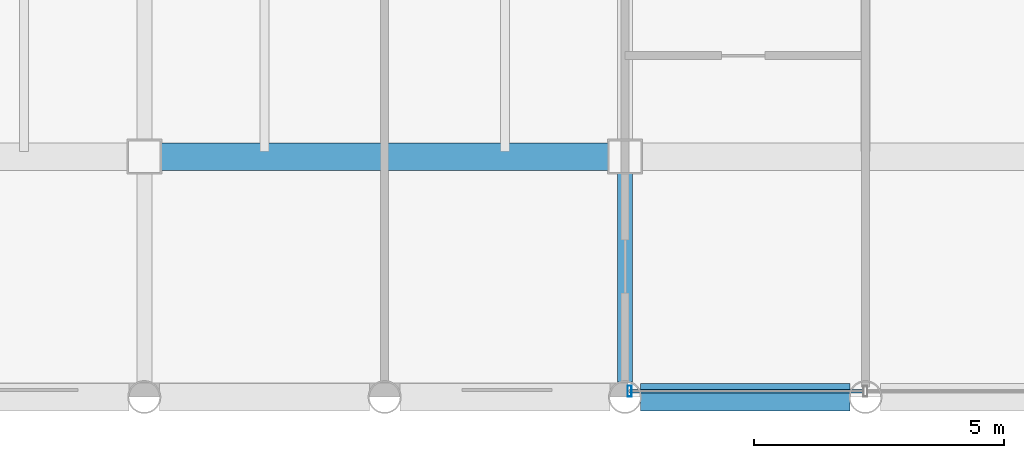
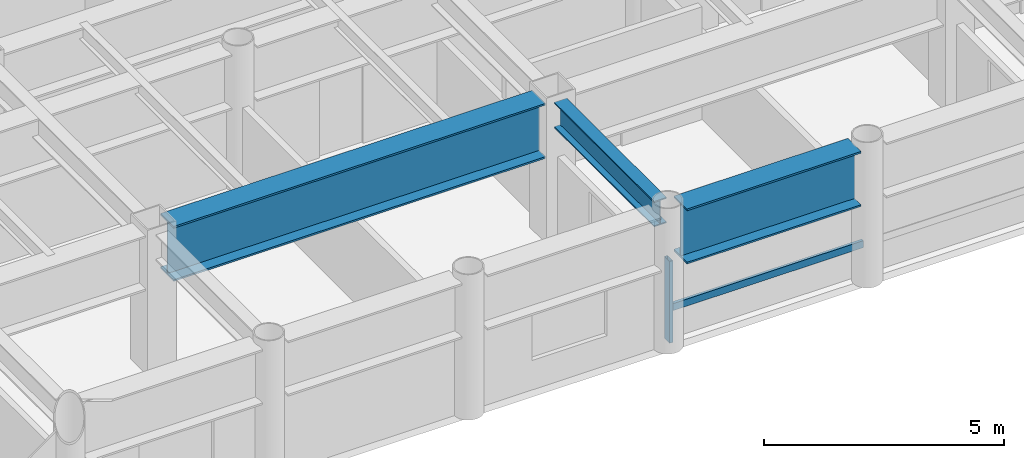
# One storey, part 3 of 23: 3 beams, 2 members, 1 element without a shape of its own.
"""IFC4 building model written with IfcOpenShell, lengths in metres."""

from ifc_helpers import new_model, si_unit, direction, frame, origin, origin_2d, place, context, subcontext, project, spatial, hollow_rectangle, i_section, extrude, material, layer, layer_set, material_profile, profile_set, type_object, element, aggregate, save


model = new_model("IFC4")

# Units and contexts
model_context = context("Model", 3, precision=1e-05, world=origin(), true_north=direction((0.0, 1.0)))
body_context = subcontext(model_context, "Body", "Model", "MODEL_VIEW")
ifc_project = project(units=[si_unit("LENGTHUNIT", "METRE"), si_unit("AREAUNIT", "SQUARE_METRE"), si_unit("VOLUMEUNIT", "CUBIC_METRE"), si_unit("PLANEANGLEUNIT", "RADIAN"), si_unit("MASSUNIT", "GRAM", prefix="KILO")], contexts=[model_context])

# Site, building, storey
site_placement = place(None, origin())
site = spatial("IfcSite", under=ifc_project, at=site_placement, CompositionType="ELEMENT")
building_placement = place(site_placement, origin())
building = spatial("IfcBuilding", under=site, at=building_placement, Name="Kallvorn Hotel Tower", CompositionType="ELEMENT")
storey_placement = place(building_placement, frame((0.0, 0.0, 121.10009765625)))
storey = spatial("IfcBuildingStorey", under=building, at=storey_placement, Name="L29", CompositionType="ELEMENT", Elevation=121.10009765625)

# Beams
ifc_material_1 = material(Name="Structural steel S355JR", Category="steel")
ifc_material_profile_1 = material_profile(ifc_material_1, i_section(OverallWidth=0.300048828125, OverallDepth=0.64990234375, WebThickness=0.01611328125, FlangeThickness=0.031005859375, at=origin_2d()), Name="HE 650 B")
ifc_profile_set_1 = profile_set([ifc_material_profile_1], Name="Structural steel S355JR")
beam_type_1 = type_object("IfcBeamType", Name="BM_HE650B", PredefinedType="BEAM", material=ifc_profile_set_1)
beam_1_placement = place(storey_placement, frame((-4.800048828125, -18.89501953125, 3.19482421875), z_axis=(0.0, 1.0, 0.0), x_axis=(-1.0, 0.0, 0.0)))
element("IfcBeam", 1, at=beam_1_placement, inside=storey, type_object=beam_type_1, Name="L30 Primary Y-Girder 114", PredefinedType="BEAM", context=body_context, shape_type="SweptSolid", body=[
    extrude(i_section(OverallWidth=0.300048828125, OverallDepth=0.64990234375, WebThickness=0.01611328125, FlangeThickness=0.031005859375, at=origin_2d()), origin(), (0.0, 0.0, 1.0), 4.169921875),
])
ifc_material_2 = material(Name="Structural steel S355JR", Category="steel")
ifc_material_profile_2 = material_profile(ifc_material_2, i_section(OverallWidth=0.550048828125, OverallDepth=1.39990234375, WebThickness=0.02490234375, FlangeThickness=0.044921875, at=origin_2d()), Name="PG 1400x550x25x45")
ifc_profile_set_2 = profile_set([ifc_material_profile_2], Name="Structural steel S355JR")
beam_type_2 = type_object("IfcBeamType", Name="BM_PG_1400", PredefinedType="BEAM", material=ifc_profile_set_2)
beam_2_placement = place(storey_placement, frame((-4.4951171875, -19.199951171875, 2.81982421875), z_axis=(1.0, 0.0, 0.0), x_axis=(0.0, 1.0, 0.0)))
element("IfcBeam", 2, at=beam_2_placement, inside=storey, type_object=beam_type_2, Name="L30 Primary X-Girder 15", PredefinedType="BEAM", context=body_context, shape_type="SweptSolid", body=[
    extrude(i_section(OverallWidth=0.550048828125, OverallDepth=1.39990234375, WebThickness=0.02490234375, FlangeThickness=0.044921875, at=origin_2d()), origin(), (0.0, 0.0, 1.0), 4.190185546875),
])
beam_3_placement = place(storey_placement, frame((-14.074951171875, -14.39990234375, 2.81982421875), z_axis=(1.0, 0.0, 0.0), x_axis=(0.0, 1.0, 0.0)))
element("IfcBeam", 3, at=beam_3_placement, inside=storey, type_object=beam_type_2, Name="L30 Primary X-Girder 25", PredefinedType="BEAM", context=body_context, shape_type="SweptSolid", body=[
    extrude(i_section(OverallWidth=0.550048828125, OverallDepth=1.39990234375, WebThickness=0.02490234375, FlangeThickness=0.044921875, at=origin_2d()), origin(), (0.0, 0.0, 1.0), 8.949951171875),
])

# Curtain wall, members
ifc_material_3 = material(Name="Thermally broken black-anodised aluminium AA 6063-T6", Category="aluminium")
ifc_layer = layer(ifc_material_3, 0.199951171875)
ifc_layer_set = layer_set([ifc_layer], Name="CW_SYS_3_HOTEL_LOW")
curtain_wall_type = type_object("IfcCurtainWallType", Name="CW_SYS_3_HOTEL_LOW", PredefinedType="USERDEFINED", material=ifc_layer_set)
curtain_wall_placement = place(storey_placement, origin())
curtain_wall = element("IfcCurtainWall", 4, at=curtain_wall_placement, inside=storey, type_object=curtain_wall_type, Name="L29 Dark-Glass Curtain Wall CW-L29-SC", ObjectType="UNITISED CURTAIN WALL", PredefinedType="USERDEFINED")
ifc_material_4 = material(Name="Thermally broken black-anodised aluminium AA 6063-T6", Category="aluminium")
ifc_material_profile_3 = material_profile(ifc_material_4, hollow_rectangle(XDim=0.080078125, YDim=0.219970703125, WallThickness=0.0048828125, at=origin_2d()), Name="MUL 220x80")
ifc_profile_set_3 = profile_set([ifc_material_profile_3], Name="Thermally broken black-anodised aluminium AA 6063-T6")
member_type_1 = type_object("IfcMemberType", Name="CW_MULLION_220x80", PredefinedType="MULLION", material=ifc_profile_set_3)
member_1_placement = place(storey_placement, frame((-4.7099609375, -19.080078125, 0.02001953125), z_axis=(0.0, 0.0, 1.0), x_axis=(1.0, 0.0, 0.0)))
member_1 = element("IfcMember", 5, at=member_1_placement, type_object=member_type_1, Name="CW-L29-SC Mullion 00", PredefinedType="MULLION", context=body_context, shape_type="SweptSolid", body=[
    extrude(hollow_rectangle(XDim=0.080078125, YDim=0.219970703125, WallThickness=0.0048828125, at=origin_2d()), origin(), (0.0, 0.0, 1.0), 2.079833984375),
])
ifc_material_5 = material(Name="Thermally broken black-anodised aluminium AA 6063-T6", Category="aluminium")
ifc_material_profile_4 = material_profile(ifc_material_5, hollow_rectangle(XDim=0.070068359375, YDim=0.179931640625, WallThickness=0.00390625, at=origin_2d()), Name="TRN 180x70")
ifc_profile_set_4 = profile_set([ifc_material_profile_4], Name="Thermally broken black-anodised aluminium AA 6063-T6")
member_type_2 = type_object("IfcMemberType", Name="CW_TRANSOM_180x70", PredefinedType="USERDEFINED", material=ifc_profile_set_4)
member_2_placement = place(storey_placement, frame((-4.7099609375, -19.080078125, 0.849853515625), z_axis=(1.0, 0.0, 0.0), x_axis=(0.0, 1.0, 0.0)))
member_2 = element("IfcMember", 6, at=member_2_placement, type_object=member_type_2, Name="CW-L29-SC Transom 00M", ObjectType="TRANSOM", PredefinedType="USERDEFINED", context=body_context, shape_type="SweptSolid", body=[
    extrude(hollow_rectangle(XDim=0.070068359375, YDim=0.179931640625, WallThickness=0.00390625, at=origin_2d()), origin(), (0.0, 0.0, 1.0), 4.669921875),
])
aggregate(curtain_wall, [member_1, member_2])

save(model, "model.ifc")
